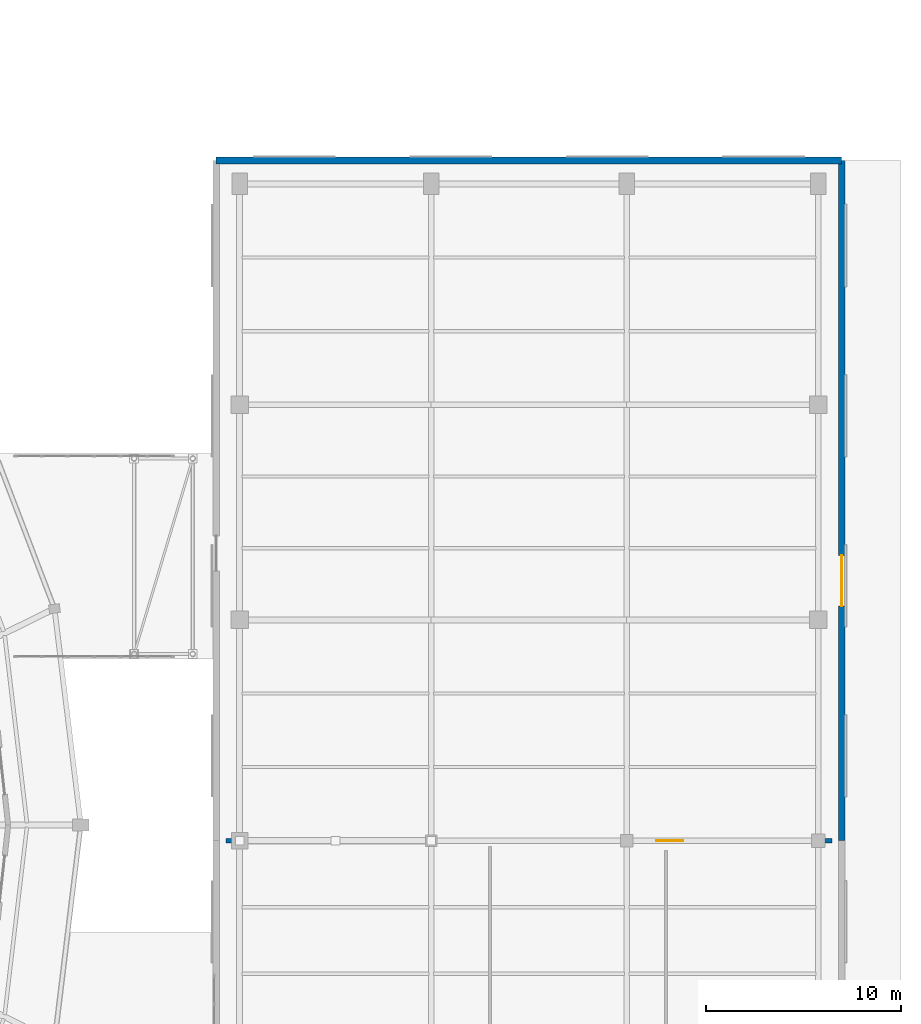
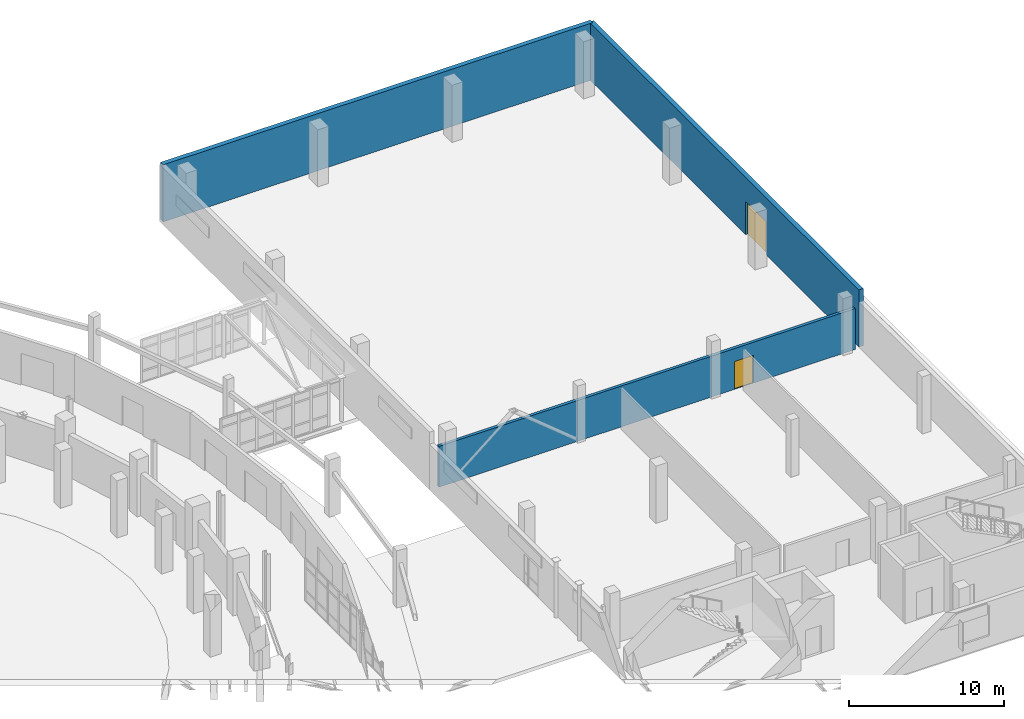
# One storey, part 110 of 122: 3 walls, 2 doors, 2 openings.
"""IFC4 building model written with IfcOpenShell, lengths in metres."""

from ifc_helpers import new_model, si_unit, direction, frame, frame_2d, origin, place, context, subcontext, project, spatial, rectangle, extrude, material, layer, layer_set, type_object, element, fill, save


model = new_model("IFC4")

# Units and contexts
model_context = context("Model", 3, precision=1e-05, world=origin(), true_north=direction((0.0, 1.0)))
body_context = subcontext(model_context, "Body", "Model", "MODEL_VIEW")
ifc_project = project(units=[si_unit("LENGTHUNIT", "METRE"), si_unit("AREAUNIT", "SQUARE_METRE"), si_unit("VOLUMEUNIT", "CUBIC_METRE"), si_unit("PLANEANGLEUNIT", "RADIAN"), si_unit("MASSUNIT", "GRAM", prefix="KILO")], contexts=[model_context])

# Site, building, storey
site_placement = place(None, origin())
site = spatial("IfcSite", under=ifc_project, at=site_placement, CompositionType="ELEMENT")
building_placement = place(site_placement, origin())
building = spatial("IfcBuilding", under=site, at=building_placement, Name="Sohan Crest Arena", CompositionType="ELEMENT")
storey_placement = place(building_placement, origin())
storey = spatial("IfcBuildingStorey", under=building, at=storey_placement, Name="L00", CompositionType="ELEMENT", Elevation=0.0)

# Wall, opening, door
ifc_material_1 = material(Name="Honed dark basalt stone cladding wall", Category="masonry")
ifc_layer_1 = layer(ifc_material_1, 0.340087890625, Name="Honed dark basalt stone cladding wall")
ifc_layer_set_1 = layer_set([ifc_layer_1], Name="Honed dark basalt stone cladding wall")
wall_type_1 = type_object("IfcWallType", Name="WAL-EW04", PredefinedType="SOLIDWALL", material=ifc_layer_set_1)
wall_1_placement = place(storey_placement, frame((227.0, 77.199951171875, 0.0), z_axis=(0.0, 0.0, 1.0), x_axis=(0.0, 1.0, 0.0)))
wall_1 = element("IfcWall", 1, at=wall_1_placement, inside=storey, type_object=wall_type_1, Name="External wall EW-104", PredefinedType="SOLIDWALL", context=body_context, shape_type="SweptSolid", body=[
    extrude(rectangle(XDim=34.800048828125, YDim=0.340087890625, at=frame_2d((17.39990234375, 0.0))), origin(), (0.0, 0.0, 1.0), 4.5),
])
opening_1_placement = place(wall_1_placement, frame((12.0, 0.0, 0.0)))
opening_1 = element("IfcOpeningElement", 2, at=opening_1_placement, cuts=wall_1, Name="Opening E08", PredefinedType="OPENING", context=body_context, shape_type="SweptSolid", body=[
    extrude(rectangle(XDim=2.60009765625, YDim=2.60009765625, at=frame_2d((1.300048828125, 1.300048828125))), frame((0.0, 0.179931640625, 0.0), z_axis=(0.0, -1.0, 0.0), x_axis=(1.0, 0.0, 0.0)), (0.0, 0.0, 1.0), 0.360107421875),
])
ifc_material_2 = material(Name="Thermally broken glazed aluminium entrance door", Category="aluminium")
door_type_1 = type_object("IfcDoorType", Name="DR-E02", OperationType="DOUBLE_DOOR_SINGLE_SWING", PredefinedType="DOOR", material=ifc_material_2)
door_1_placement = place(opening_1_placement, frame((2.60009765625, 0.0, 0.0), z_axis=(0.0, 0.0, 1.0), x_axis=(-1.0, 0.0, 0.0)))
door_1 = element("IfcDoor", 3, at=door_1_placement, inside=storey, type_object=door_type_1, Name="Practice court entrance E08", OperationType="DOUBLE_DOOR_SINGLE_SWING", OverallHeight=2.60009765625, OverallWidth=2.60009765625, PredefinedType="DOOR", context=body_context, shape_type="SweptSolid", body=[
    extrude(rectangle(XDim=2.60009765625, YDim=2.60009765625, at=frame_2d((1.300048828125, 1.300048828125))), frame((0.0, 0.02490234375, 0.0), z_axis=(0.0, -1.0, 0.0), x_axis=(1.0, 0.0, 0.0)), (0.0, 0.0, 1.0), 0.050048828125),
])
fill(opening_1, door_1)

# Wall
wall_2_placement = place(storey_placement, frame((227.0, 112.0, 0.0), z_axis=(0.0, 0.0, 1.0), x_axis=(-1.0, 0.0, 0.0)))
element("IfcWall", 4, at=wall_2_placement, inside=storey, type_object=wall_type_1, Name="External wall EW-105", PredefinedType="SOLIDWALL", context=body_context, shape_type="SweptSolid", body=[
    extrude(rectangle(XDim=32.0, YDim=0.340087890625, at=frame_2d((16.0, 0.0))), origin(), (0.0, 0.0, 1.0), 4.5),
])

# Wall, opening, door
ifc_material_3 = material(Name="Fire-rated acoustic double-stud shaft wall", Category="masonry")
ifc_layer_2 = layer(ifc_material_3, 0.219970703125, Name="Fire-rated acoustic double-stud shaft wall")
ifc_layer_set_2 = layer_set([ifc_layer_2], Name="Fire-rated acoustic double-stud shaft wall")
wall_type_2 = type_object("IfcWallType", Name="WAL-FW02", PredefinedType="PARTITIONING", material=ifc_layer_set_2)
wall_3_placement = place(storey_placement, frame((195.5, 77.199951171875, 0.0), z_axis=(0.0, 0.0, 1.0), x_axis=(1.0, 0.0, 0.0)))
wall_3 = element("IfcWall", 5, at=wall_3_placement, inside=storey, type_object=wall_type_2, Name="Interior partition wall PW-0852", PredefinedType="PARTITIONING", context=body_context, shape_type="SweptSolid", body=[
    extrude(rectangle(XDim=31.0, YDim=0.219970703125, at=frame_2d((15.5, 0.0))), origin(), (0.0, 0.0, 1.0), 3.219970703125),
])
opening_2_placement = place(wall_3_placement, frame((22.0, 0.0, 0.0)))
opening_2 = element("IfcOpeningElement", 6, at=opening_2_placement, cuts=wall_3, Name="Opening PR-0235", PredefinedType="OPENING", context=body_context, shape_type="SweptSolid", body=[
    extrude(rectangle(XDim=1.39990234375, YDim=2.199951171875, at=frame_2d((0.699951171875, 1.10009765625))), frame((0.0, 0.119873046875, 0.0), z_axis=(0.0, -1.0, 0.0), x_axis=(1.0, 0.0, 0.0)), (0.0, 0.0, 1.0), 0.239990234375),
])
ifc_material_4 = material(Name="Solid oak practice hall double door", Category="wood")
door_type_2 = type_object("IfcDoorType", Name="DR-ID02", OperationType="DOUBLE_DOOR_SINGLE_SWING", PredefinedType="DOOR", material=ifc_material_4)
door_2_placement = place(opening_2_placement, origin())
door_2 = element("IfcDoor", 7, at=door_2_placement, inside=storey, type_object=door_type_2, Name="Practice court door PR-0235", OperationType="DOUBLE_DOOR_SINGLE_SWING", OverallHeight=2.199951171875, OverallWidth=1.39990234375, PredefinedType="DOOR", context=body_context, shape_type="SweptSolid", body=[
    extrude(rectangle(XDim=1.39990234375, YDim=2.199951171875, at=frame_2d((0.699951171875, 1.10009765625))), frame((0.0, 0.02490234375, 0.0), z_axis=(0.0, -1.0, 0.0), x_axis=(1.0, 0.0, 0.0)), (0.0, 0.0, 1.0), 0.050048828125),
])
fill(opening_2, door_2)

save(model, "model.ifc")
